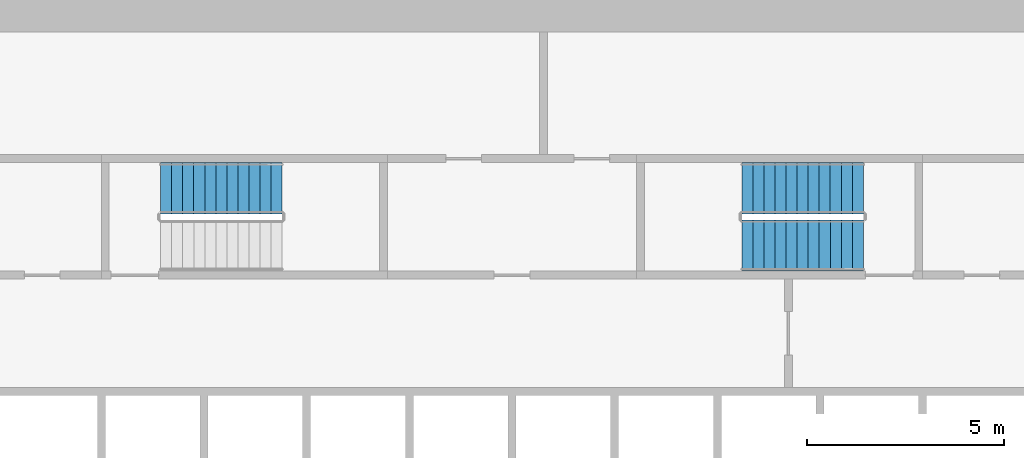
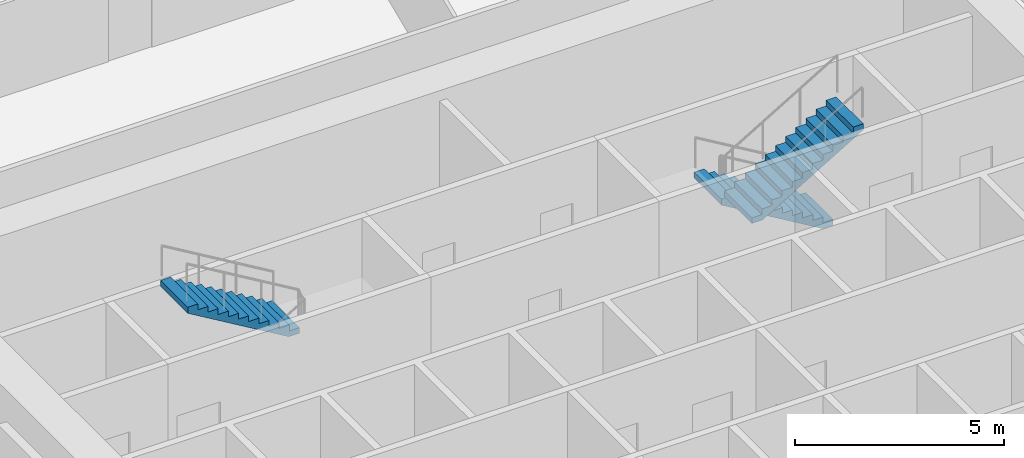
# One storey, part 8 of 9: 3 stair flights, 2 elements without a shape of their own.
"""IFC4 building model written with IfcOpenShell, lengths in metres."""

from ifc_helpers import new_model, si_unit, direction, frame, origin, place, context, subcontext, project, spatial, polyline, outline, extrude, material, type_object, element, aggregate, save


model = new_model("IFC4")

# Units and contexts
model_context = context("Model", 3, precision=1e-05, world=origin(), true_north=direction((0.0, 1.0)))
body_context = subcontext(model_context, "Body", "Model", "MODEL_VIEW")
ifc_project = project(units=[si_unit("LENGTHUNIT", "METRE"), si_unit("AREAUNIT", "SQUARE_METRE"), si_unit("VOLUMEUNIT", "CUBIC_METRE"), si_unit("PLANEANGLEUNIT", "RADIAN"), si_unit("MASSUNIT", "GRAM", prefix="KILO")], contexts=[model_context])

# Site, building, storey
site_placement = place(None, origin())
site = spatial("IfcSite", under=ifc_project, at=site_placement, CompositionType="ELEMENT")
building_placement = place(site_placement, origin())
building = spatial("IfcBuilding", under=site, at=building_placement, Name="Corvane Civic Tower", CompositionType="ELEMENT")
storey_placement = place(building_placement, frame((0.0, 0.0, 102.5)))
storey = spatial("IfcBuildingStorey", under=building, at=storey_placement, Name="L23", CompositionType="ELEMENT", Elevation=102.5)

# Stair, stair flights
ifc_material_1 = material(Name="Concrete C40/50", Category="concrete")
stair_type = type_object("IfcStairType", Name="ST-STAIR-HALFTURN", PredefinedType="HALF_TURN_STAIR", material=ifc_material_1)
stair_1_placement = place(storey_placement, origin())
stair_1 = element("IfcStair", 1, at=stair_1_placement, inside=storey, type_object=stair_type, Name="L23 Exit stair ST1", PredefinedType="HALF_TURN_STAIR")
ifc_material_2 = material(Name="Concrete C40/50", Category="concrete")
stair_flight_type = type_object("IfcStairFlightType", Name="ST-FLIGHT-RC", PredefinedType="STRAIGHT", material=ifc_material_2)
stair_flight_1_placement = place(storey_placement, frame((8.89990234375, 9.550048828125, 0.0), z_axis=(0.0, 0.0, 1.0), x_axis=(-1.0, 0.0, 0.0)))
stair_flight_1 = element("IfcStairFlight", 2, at=stair_flight_1_placement, type_object=stair_flight_type, Name="ST1 flight 1", NumberOfRisers=12, NumberOfTreads=11, PredefinedType="STRAIGHT", RiserHeight=0.166666667, TreadLength=0.28, context=body_context, shape_type="SweptSolid", body=[
    extrude(outline(polyline([(0.0, 0.0), (0.0, 0.166748046875), (0.280029296875, 0.166748046875), (0.280029296875, 0.333251953125), (0.56005859375, 0.333251953125), (0.56005859375, 0.5), (0.840087890625, 0.5), (0.840087890625, 0.666748046875), (1.1201171875, 0.666748046875), (1.1201171875, 0.833251953125), (1.39990234375, 0.833251953125), (1.39990234375, 1.0), (1.679931640625, 1.0), (1.679931640625, 1.166748046875), (1.9599609375, 1.166748046875), (1.9599609375, 1.333251953125), (2.239990234375, 1.333251953125), (2.239990234375, 1.5), (2.52001953125, 1.5), (2.52001953125, 1.666748046875), (2.800048828125, 1.666748046875), (2.800048828125, 1.833251953125), (3.080078125, 1.833251953125), (3.080078125, 2.0), (3.080078125, 1.658935546875), (0.29296875, 0.0), (0.0, 0.0)])), frame((0.0, 0.64990234375, 0.0), z_axis=(0.0, -1.0, 0.0), x_axis=(1.0, 0.0, 0.0)), (0.0, 0.0, 1.0), 1.300048828125),
])
stair_flight_2_placement = place(storey_placement, frame((5.820068359375, 8.10009765625, 2.0), z_axis=(0.0, 0.0, 1.0), x_axis=(1.0, 0.0, 0.0)))
stair_flight_2 = element("IfcStairFlight", 3, at=stair_flight_2_placement, type_object=stair_flight_type, Name="ST1 flight 2", NumberOfRisers=12, NumberOfTreads=11, PredefinedType="STRAIGHT", RiserHeight=0.166666667, TreadLength=0.28, context=body_context, shape_type="SweptSolid", body=[
    extrude(outline(polyline([(0.0, 0.0), (0.0, 0.166748046875), (0.280029296875, 0.166748046875), (0.280029296875, 0.333251953125), (0.56005859375, 0.333251953125), (0.56005859375, 0.5), (0.840087890625, 0.5), (0.840087890625, 0.666748046875), (1.1201171875, 0.666748046875), (1.1201171875, 0.833251953125), (1.39990234375, 0.833251953125), (1.39990234375, 1.0), (1.679931640625, 1.0), (1.679931640625, 1.166748046875), (1.9599609375, 1.166748046875), (1.9599609375, 1.333251953125), (2.239990234375, 1.333251953125), (2.239990234375, 1.5), (2.52001953125, 1.5), (2.52001953125, 1.666748046875), (2.800048828125, 1.666748046875), (2.800048828125, 1.833251953125), (3.080078125, 1.833251953125), (3.080078125, 2.0), (3.080078125, 1.658935546875), (0.29296875, 0.0), (0.0, 0.0)])), frame((0.0, 0.64990234375, 0.0), z_axis=(0.0, -1.0, 0.0), x_axis=(1.0, 0.0, 0.0)), (0.0, 0.0, 1.0), 1.300048828125),
])
aggregate(stair_1, [stair_flight_1, stair_flight_2])

# Stair, stair flight
stair_2_placement = place(storey_placement, origin())
stair_2 = element("IfcStair", 4, at=stair_2_placement, inside=storey, type_object=stair_type, Name="L23 Exit stair ST4", PredefinedType="HALF_TURN_STAIR")
stair_flight_3_placement = place(storey_placement, frame((-5.820068359375, 9.550048828125, 2.0), z_axis=(0.0, 0.0, 1.0), x_axis=(-1.0, 0.0, 0.0)))
stair_flight_3 = element("IfcStairFlight", 5, at=stair_flight_3_placement, type_object=stair_flight_type, Name="ST4 flight 2", NumberOfRisers=12, NumberOfTreads=11, PredefinedType="STRAIGHT", RiserHeight=0.166666667, TreadLength=0.28, context=body_context, shape_type="SweptSolid", body=[
    extrude(outline(polyline([(0.0, 0.0), (0.0, 0.166748046875), (0.280029296875, 0.166748046875), (0.280029296875, 0.333251953125), (0.56005859375, 0.333251953125), (0.56005859375, 0.5), (0.840087890625, 0.5), (0.840087890625, 0.666748046875), (1.1201171875, 0.666748046875), (1.1201171875, 0.833251953125), (1.39990234375, 0.833251953125), (1.39990234375, 1.0), (1.679931640625, 1.0), (1.679931640625, 1.166748046875), (1.9599609375, 1.166748046875), (1.9599609375, 1.333251953125), (2.239990234375, 1.333251953125), (2.239990234375, 1.5), (2.52001953125, 1.5), (2.52001953125, 1.666748046875), (2.800048828125, 1.666748046875), (2.800048828125, 1.833251953125), (3.080078125, 1.833251953125), (3.080078125, 2.0), (3.080078125, 1.658935546875), (0.29296875, 0.0), (0.0, 0.0)])), frame((0.0, 0.64990234375, 0.0), z_axis=(0.0, -1.0, 0.0), x_axis=(1.0, 0.0, 0.0)), (0.0, 0.0, 1.0), 1.300048828125),
])
aggregate(stair_2, [stair_flight_3])

save(model, "model.ifc")
